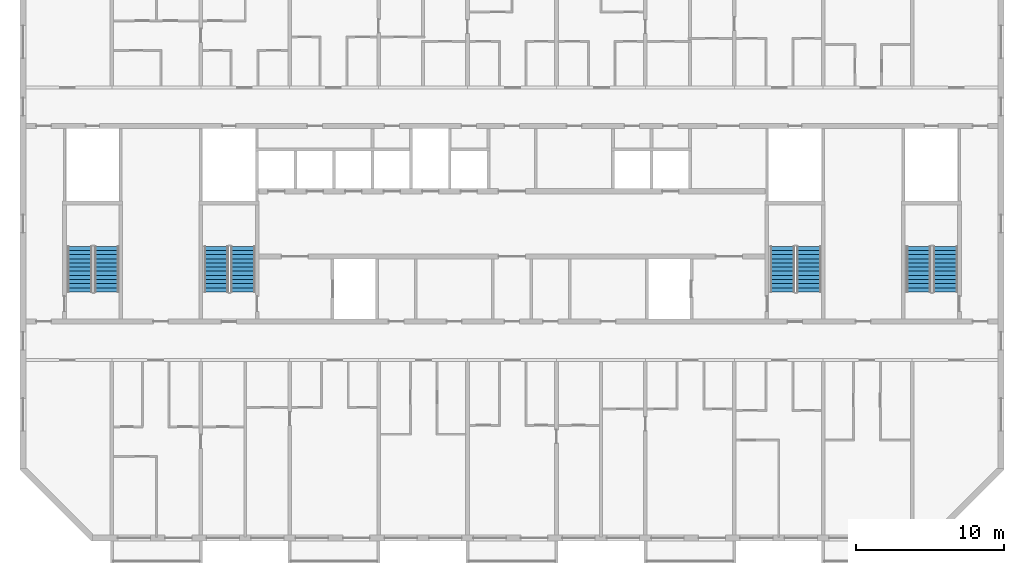
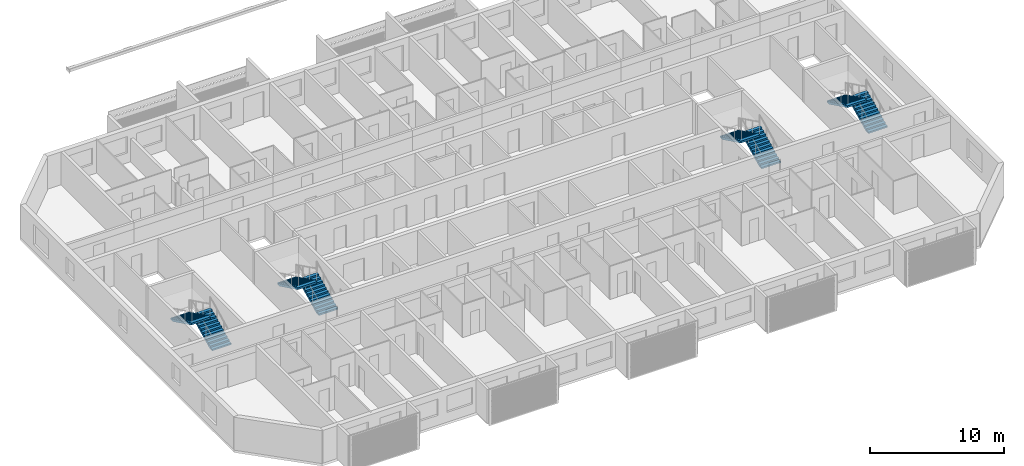
# One storey, part 14 of 20: 8 stair flights, 4 elements without a shape of their own.
"""IFC4 building model written with IfcOpenShell, lengths in metres."""

from ifc_helpers import new_model, si_unit, direction, frame, origin, place, context, subcontext, project, spatial, polyline, outline, extrude, material, layer, layer_set, type_object, element, aggregate, save


model = new_model("IFC4")

# Units and contexts
model_context = context("Model", 3, precision=1e-05, world=origin(), true_north=direction((0.0, 1.0)))
body_context = subcontext(model_context, "Body", "Model", "MODEL_VIEW")
ifc_project = project(units=[si_unit("LENGTHUNIT", "METRE"), si_unit("AREAUNIT", "SQUARE_METRE"), si_unit("VOLUMEUNIT", "CUBIC_METRE"), si_unit("PLANEANGLEUNIT", "RADIAN"), si_unit("MASSUNIT", "GRAM", prefix="KILO")], contexts=[model_context])

# Site, building, storey
site_placement = place(None, origin())
site = spatial("IfcSite", under=ifc_project, at=site_placement, CompositionType="ELEMENT")
building_placement = place(site_placement, origin())
building = spatial("IfcBuilding", under=site, at=building_placement, Name="Poui Terraces", CompositionType="ELEMENT")
storey_placement = place(building_placement, frame((0.0, 0.0, 257.699951171875)))
storey = spatial("IfcBuildingStorey", under=building, at=storey_placement, Name="L72", CompositionType="ELEMENT", Elevation=257.699951171875)

# Stair, stair flights
ifc_material = material(Name="Concrete 50 MPa", Category="concrete")
stair_type = type_object("IfcStairType", Name="EXIT STAIR 1650 50 MPA", PredefinedType="HALF_TURN_STAIR", material=ifc_material)
stair_1_placement = place(storey_placement, origin())
stair_1 = element("IfcStair", 1, at=stair_1_placement, inside=storey, type_object=stair_type, Name="L72 CORE STAIR EAST", PredefinedType="HALF_TURN_STAIR")
ifc_layer = layer(ifc_material, 0.14990234375)
ifc_layer_set = layer_set([ifc_layer], Name="Concrete 50 MPa")
stair_flight_type = type_object("IfcStairFlightType", Name="STAIR FLIGHT 12 RISERS 138 RISE 50 MPA", PredefinedType="STRAIGHT", material=ifc_layer_set)
stair_flight_1_placement = place(storey_placement, frame((71.050048828125, 16.60009765625, 0.0), z_axis=(0.0, 0.0, 1.0), x_axis=(0.0, 1.0, 0.0)))
stair_flight_1 = element("IfcStairFlight", 2, at=stair_flight_1_placement, type_object=stair_flight_type, Name="ST-CE flight 1", NumberOfRisers=12, NumberOfTreads=11, PredefinedType="STRAIGHT", RiserHeight=0.1375, TreadLength=0.28, context=body_context, shape_type="SweptSolid", body=[
    extrude(outline(polyline([(0.0, 0.0), (0.0, 0.137451171875), (0.280029296875, 0.137451171875), (0.280029296875, 0.27490234375), (0.56005859375, 0.27490234375), (0.56005859375, 0.41259765625), (0.840087890625, 0.41259765625), (0.840087890625, 0.550048828125), (1.1201171875, 0.550048828125), (1.1201171875, 0.6875), (1.39990234375, 0.6875), (1.39990234375, 0.824951171875), (1.679931640625, 0.824951171875), (1.679931640625, 0.96240234375), (1.9599609375, 0.96240234375), (1.9599609375, 1.10009765625), (2.239990234375, 1.10009765625), (2.239990234375, 1.237548828125), (2.52001953125, 1.237548828125), (2.52001953125, 1.375), (2.800048828125, 1.375), (2.800048828125, 1.512451171875), (3.080078125, 1.512451171875), (3.080078125, 1.64990234375), (3.080078125, 1.345458984375), (0.340087890625, 0.0), (0.0, 0.0)])), frame((0.0, 0.824951171875, 0.0), z_axis=(0.0, -1.0, 0.0), x_axis=(1.0, 0.0, 0.0)), (0.0, 0.0, 1.0), 1.64990234375),
])
stair_flight_2_placement = place(storey_placement, frame((69.25, 19.679931640625, 1.650146484375), z_axis=(0.0, 0.0, 1.0), x_axis=(0.0, -1.0, 0.0)))
stair_flight_2 = element("IfcStairFlight", 3, at=stair_flight_2_placement, type_object=stair_flight_type, Name="ST-CE flight 2", NumberOfRisers=12, NumberOfTreads=11, PredefinedType="STRAIGHT", RiserHeight=0.1375, TreadLength=0.28, context=body_context, shape_type="SweptSolid", body=[
    extrude(outline(polyline([(0.0, 0.0), (0.0, 0.137451171875), (0.280029296875, 0.137451171875), (0.280029296875, 0.27490234375), (0.56005859375, 0.27490234375), (0.56005859375, 0.41259765625), (0.840087890625, 0.41259765625), (0.840087890625, 0.550048828125), (1.1201171875, 0.550048828125), (1.1201171875, 0.6875), (1.39990234375, 0.6875), (1.39990234375, 0.824951171875), (1.679931640625, 0.824951171875), (1.679931640625, 0.96240234375), (1.9599609375, 0.96240234375), (1.9599609375, 1.10009765625), (2.239990234375, 1.10009765625), (2.239990234375, 1.237548828125), (2.52001953125, 1.237548828125), (2.52001953125, 1.375), (2.800048828125, 1.375), (2.800048828125, 1.512451171875), (3.080078125, 1.512451171875), (3.080078125, 1.64990234375), (3.080078125, 1.345458984375), (0.340087890625, 0.0), (0.0, 0.0)])), frame((0.0, 0.824951171875, 0.0), z_axis=(0.0, -1.0, 0.0), x_axis=(1.0, 0.0, 0.0)), (0.0, 0.0, 1.0), 1.64990234375),
])
aggregate(stair_1, [stair_flight_1, stair_flight_2])

stair_2_placement = place(storey_placement, origin())
stair_2 = element("IfcStair", 4, at=stair_2_placement, inside=storey, type_object=stair_type, Name="L72 CORE STAIR WEST", PredefinedType="HALF_TURN_STAIR")
stair_flight_3_placement = place(storey_placement, frame((32.85009765625, 16.60009765625, 0.0), z_axis=(0.0, 0.0, 1.0), x_axis=(0.0, 1.0, 0.0)))
stair_flight_3 = element("IfcStairFlight", 5, at=stair_flight_3_placement, type_object=stair_flight_type, Name="ST-CW flight 1", NumberOfRisers=12, NumberOfTreads=11, PredefinedType="STRAIGHT", RiserHeight=0.1375, TreadLength=0.28, context=body_context, shape_type="SweptSolid", body=[
    extrude(outline(polyline([(0.0, 0.0), (0.0, 0.137451171875), (0.280029296875, 0.137451171875), (0.280029296875, 0.27490234375), (0.56005859375, 0.27490234375), (0.56005859375, 0.41259765625), (0.840087890625, 0.41259765625), (0.840087890625, 0.550048828125), (1.1201171875, 0.550048828125), (1.1201171875, 0.6875), (1.39990234375, 0.6875), (1.39990234375, 0.824951171875), (1.679931640625, 0.824951171875), (1.679931640625, 0.96240234375), (1.9599609375, 0.96240234375), (1.9599609375, 1.10009765625), (2.239990234375, 1.10009765625), (2.239990234375, 1.237548828125), (2.52001953125, 1.237548828125), (2.52001953125, 1.375), (2.800048828125, 1.375), (2.800048828125, 1.512451171875), (3.080078125, 1.512451171875), (3.080078125, 1.64990234375), (3.080078125, 1.345458984375), (0.340087890625, 0.0), (0.0, 0.0)])), frame((0.0, 0.824951171875, 0.0), z_axis=(0.0, -1.0, 0.0), x_axis=(1.0, 0.0, 0.0)), (0.0, 0.0, 1.0), 1.64990234375),
])
stair_flight_4_placement = place(storey_placement, frame((31.050048828125, 19.679931640625, 1.650146484375), z_axis=(0.0, 0.0, 1.0), x_axis=(0.0, -1.0, 0.0)))
stair_flight_4 = element("IfcStairFlight", 6, at=stair_flight_4_placement, type_object=stair_flight_type, Name="ST-CW flight 2", NumberOfRisers=12, NumberOfTreads=11, PredefinedType="STRAIGHT", RiserHeight=0.1375, TreadLength=0.28, context=body_context, shape_type="SweptSolid", body=[
    extrude(outline(polyline([(0.0, 0.0), (0.0, 0.137451171875), (0.280029296875, 0.137451171875), (0.280029296875, 0.27490234375), (0.56005859375, 0.27490234375), (0.56005859375, 0.41259765625), (0.840087890625, 0.41259765625), (0.840087890625, 0.550048828125), (1.1201171875, 0.550048828125), (1.1201171875, 0.6875), (1.39990234375, 0.6875), (1.39990234375, 0.824951171875), (1.679931640625, 0.824951171875), (1.679931640625, 0.96240234375), (1.9599609375, 0.96240234375), (1.9599609375, 1.10009765625), (2.239990234375, 1.10009765625), (2.239990234375, 1.237548828125), (2.52001953125, 1.237548828125), (2.52001953125, 1.375), (2.800048828125, 1.375), (2.800048828125, 1.512451171875), (3.080078125, 1.512451171875), (3.080078125, 1.64990234375), (3.080078125, 1.345458984375), (0.340087890625, 0.0), (0.0, 0.0)])), frame((0.0, 0.824951171875, 0.0), z_axis=(0.0, -1.0, 0.0), x_axis=(1.0, 0.0, 0.0)), (0.0, 0.0, 1.0), 1.64990234375),
])
aggregate(stair_2, [stair_flight_3, stair_flight_4])

stair_3_placement = place(storey_placement, origin())
stair_3 = element("IfcStair", 7, at=stair_3_placement, inside=storey, type_object=stair_type, Name="L72 TIP STAIR EAST", PredefinedType="HALF_TURN_STAIR")
stair_flight_5_placement = place(storey_placement, frame((80.25, 16.60009765625, 0.0), z_axis=(0.0, 0.0, 1.0), x_axis=(0.0, 1.0, 0.0)))
stair_flight_5 = element("IfcStairFlight", 8, at=stair_flight_5_placement, type_object=stair_flight_type, Name="ST-E flight 1", NumberOfRisers=12, NumberOfTreads=11, PredefinedType="STRAIGHT", RiserHeight=0.1375, TreadLength=0.28, context=body_context, shape_type="SweptSolid", body=[
    extrude(outline(polyline([(0.0, 0.0), (0.0, 0.137451171875), (0.280029296875, 0.137451171875), (0.280029296875, 0.27490234375), (0.56005859375, 0.27490234375), (0.56005859375, 0.41259765625), (0.840087890625, 0.41259765625), (0.840087890625, 0.550048828125), (1.1201171875, 0.550048828125), (1.1201171875, 0.6875), (1.39990234375, 0.6875), (1.39990234375, 0.824951171875), (1.679931640625, 0.824951171875), (1.679931640625, 0.96240234375), (1.9599609375, 0.96240234375), (1.9599609375, 1.10009765625), (2.239990234375, 1.10009765625), (2.239990234375, 1.237548828125), (2.52001953125, 1.237548828125), (2.52001953125, 1.375), (2.800048828125, 1.375), (2.800048828125, 1.512451171875), (3.080078125, 1.512451171875), (3.080078125, 1.64990234375), (3.080078125, 1.345458984375), (0.340087890625, 0.0), (0.0, 0.0)])), frame((0.0, 0.824951171875, 0.0), z_axis=(0.0, -1.0, 0.0), x_axis=(1.0, 0.0, 0.0)), (0.0, 0.0, 1.0), 1.64990234375),
])
stair_flight_6_placement = place(storey_placement, frame((78.449951171875, 19.679931640625, 1.650146484375), z_axis=(0.0, 0.0, 1.0), x_axis=(0.0, -1.0, 0.0)))
stair_flight_6 = element("IfcStairFlight", 9, at=stair_flight_6_placement, type_object=stair_flight_type, Name="ST-E flight 2", NumberOfRisers=12, NumberOfTreads=11, PredefinedType="STRAIGHT", RiserHeight=0.1375, TreadLength=0.28, context=body_context, shape_type="SweptSolid", body=[
    extrude(outline(polyline([(0.0, 0.0), (0.0, 0.137451171875), (0.280029296875, 0.137451171875), (0.280029296875, 0.27490234375), (0.56005859375, 0.27490234375), (0.56005859375, 0.41259765625), (0.840087890625, 0.41259765625), (0.840087890625, 0.550048828125), (1.1201171875, 0.550048828125), (1.1201171875, 0.6875), (1.39990234375, 0.6875), (1.39990234375, 0.824951171875), (1.679931640625, 0.824951171875), (1.679931640625, 0.96240234375), (1.9599609375, 0.96240234375), (1.9599609375, 1.10009765625), (2.239990234375, 1.10009765625), (2.239990234375, 1.237548828125), (2.52001953125, 1.237548828125), (2.52001953125, 1.375), (2.800048828125, 1.375), (2.800048828125, 1.512451171875), (3.080078125, 1.512451171875), (3.080078125, 1.64990234375), (3.080078125, 1.345458984375), (0.340087890625, 0.0), (0.0, 0.0)])), frame((0.0, 0.824951171875, 0.0), z_axis=(0.0, -1.0, 0.0), x_axis=(1.0, 0.0, 0.0)), (0.0, 0.0, 1.0), 1.64990234375),
])
aggregate(stair_3, [stair_flight_5, stair_flight_6])

stair_4_placement = place(storey_placement, origin())
stair_4 = element("IfcStair", 10, at=stair_4_placement, inside=storey, type_object=stair_type, Name="L72 TIP STAIR WEST", PredefinedType="HALF_TURN_STAIR")
stair_flight_7_placement = place(storey_placement, frame((23.64990234375, 16.60009765625, 0.0), z_axis=(0.0, 0.0, 1.0), x_axis=(0.0, 1.0, 0.0)))
stair_flight_7 = element("IfcStairFlight", 11, at=stair_flight_7_placement, type_object=stair_flight_type, Name="ST-W flight 1", NumberOfRisers=12, NumberOfTreads=11, PredefinedType="STRAIGHT", RiserHeight=0.1375, TreadLength=0.28, context=body_context, shape_type="SweptSolid", body=[
    extrude(outline(polyline([(0.0, 0.0), (0.0, 0.137451171875), (0.280029296875, 0.137451171875), (0.280029296875, 0.27490234375), (0.56005859375, 0.27490234375), (0.56005859375, 0.41259765625), (0.840087890625, 0.41259765625), (0.840087890625, 0.550048828125), (1.1201171875, 0.550048828125), (1.1201171875, 0.6875), (1.39990234375, 0.6875), (1.39990234375, 0.824951171875), (1.679931640625, 0.824951171875), (1.679931640625, 0.96240234375), (1.9599609375, 0.96240234375), (1.9599609375, 1.10009765625), (2.239990234375, 1.10009765625), (2.239990234375, 1.237548828125), (2.52001953125, 1.237548828125), (2.52001953125, 1.375), (2.800048828125, 1.375), (2.800048828125, 1.512451171875), (3.080078125, 1.512451171875), (3.080078125, 1.64990234375), (3.080078125, 1.345458984375), (0.340087890625, 0.0), (0.0, 0.0)])), frame((0.0, 0.824951171875, 0.0), z_axis=(0.0, -1.0, 0.0), x_axis=(1.0, 0.0, 0.0)), (0.0, 0.0, 1.0), 1.64990234375),
])
stair_flight_8_placement = place(storey_placement, frame((21.85009765625, 19.679931640625, 1.650146484375), z_axis=(0.0, 0.0, 1.0), x_axis=(0.0, -1.0, 0.0)))
stair_flight_8 = element("IfcStairFlight", 12, at=stair_flight_8_placement, type_object=stair_flight_type, Name="ST-W flight 2", NumberOfRisers=12, NumberOfTreads=11, PredefinedType="STRAIGHT", RiserHeight=0.1375, TreadLength=0.28, context=body_context, shape_type="SweptSolid", body=[
    extrude(outline(polyline([(0.0, 0.0), (0.0, 0.137451171875), (0.280029296875, 0.137451171875), (0.280029296875, 0.27490234375), (0.56005859375, 0.27490234375), (0.56005859375, 0.41259765625), (0.840087890625, 0.41259765625), (0.840087890625, 0.550048828125), (1.1201171875, 0.550048828125), (1.1201171875, 0.6875), (1.39990234375, 0.6875), (1.39990234375, 0.824951171875), (1.679931640625, 0.824951171875), (1.679931640625, 0.96240234375), (1.9599609375, 0.96240234375), (1.9599609375, 1.10009765625), (2.239990234375, 1.10009765625), (2.239990234375, 1.237548828125), (2.52001953125, 1.237548828125), (2.52001953125, 1.375), (2.800048828125, 1.375), (2.800048828125, 1.512451171875), (3.080078125, 1.512451171875), (3.080078125, 1.64990234375), (3.080078125, 1.345458984375), (0.340087890625, 0.0), (0.0, 0.0)])), frame((0.0, 0.824951171875, 0.0), z_axis=(0.0, -1.0, 0.0), x_axis=(1.0, 0.0, 0.0)), (0.0, 0.0, 1.0), 1.64990234375),
])
aggregate(stair_4, [stair_flight_7, stair_flight_8])

save(model, "model.ifc")
